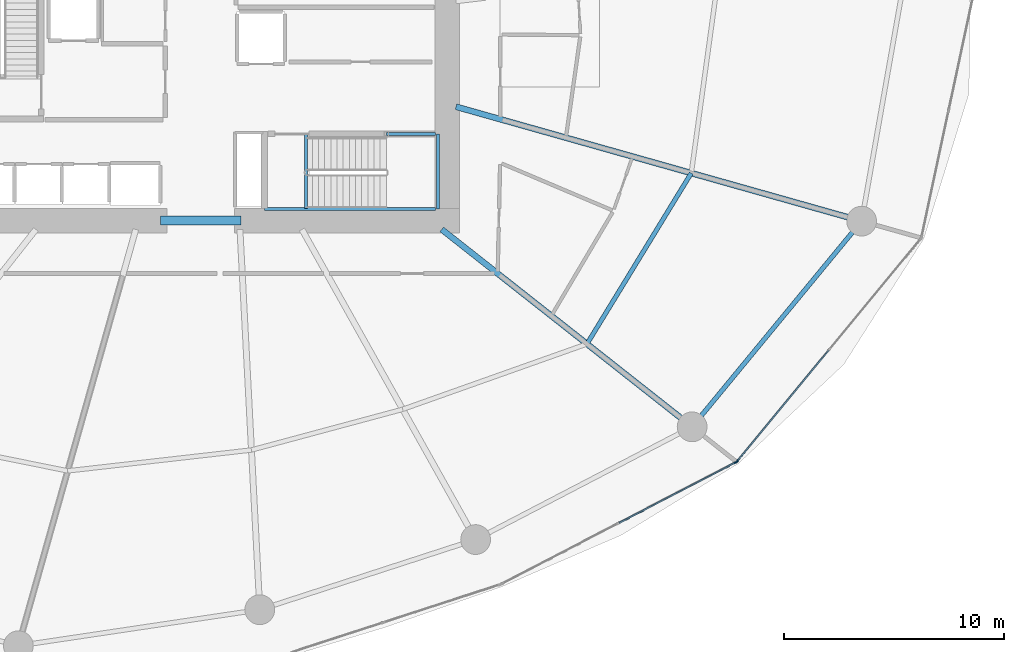
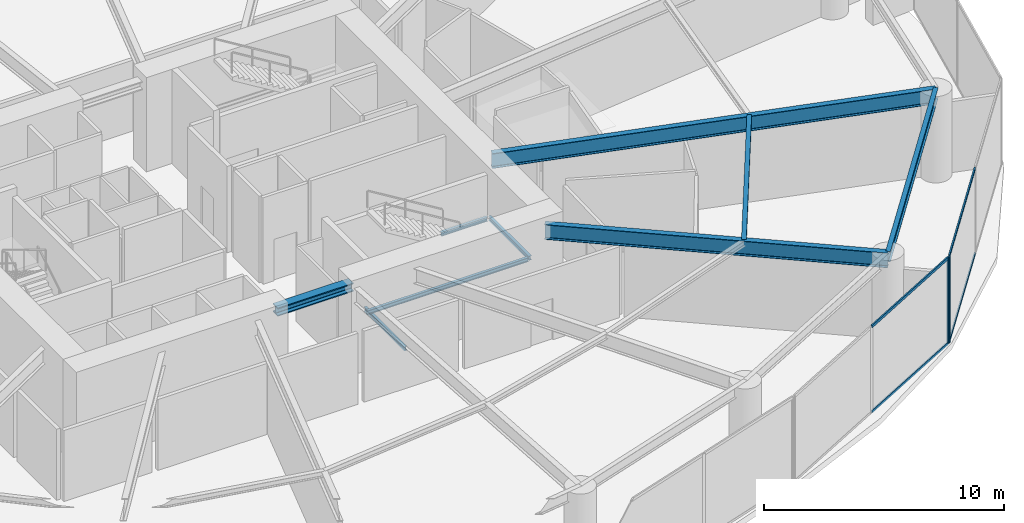
# One storey, part 10 of 22: 9 beams, 6 members, 2 elements without a shape of their own.
"""IFC4 building model written with IfcOpenShell, lengths in metres."""

from ifc_helpers import new_model, si_unit, direction, frame, origin, origin_2d, place, context, subcontext, project, spatial, rectangle, i_section, extrude, material, layer, layer_set, material_profile, profile_set, type_object, element, aggregate, save


model = new_model("IFC4")

# Units and contexts
model_context = context("Model", 3, precision=1e-05, world=origin(), true_north=direction((0.0, 1.0)))
body_context = subcontext(model_context, "Body", "Model", "MODEL_VIEW")
ifc_project = project(units=[si_unit("LENGTHUNIT", "METRE"), si_unit("AREAUNIT", "SQUARE_METRE"), si_unit("VOLUMEUNIT", "CUBIC_METRE"), si_unit("PLANEANGLEUNIT", "RADIAN"), si_unit("MASSUNIT", "GRAM", prefix="KILO")], contexts=[model_context])

# Site, building, storey
site_placement = place(None, origin())
site = spatial("IfcSite", under=ifc_project, at=site_placement, CompositionType="ELEMENT")
building_placement = place(site_placement, origin())
building = spatial("IfcBuilding", under=site, at=building_placement, Name="Kazma Halo Residences", CompositionType="ELEMENT")
storey_placement = place(building_placement, frame((0.0, 0.0, 16.800048828125)))
storey = spatial("IfcBuildingStorey", under=building, at=storey_placement, Name="L03", CompositionType="ELEMENT", Elevation=16.800048828125)

# Beams
ifc_material_1 = material(Name="Steel S355", Category="steel")
ifc_material_profile_1 = material_profile(ifc_material_1, i_section(OverallWidth=0.408935546875, OverallDepth=0.425048828125, WebThickness=0.03271484375, FlangeThickness=0.052490234375, FilletRadius=0.02001953125, at=origin_2d()), Name="W360x421")
ifc_profile_set_1 = profile_set([ifc_material_profile_1], Name="Steel S355")
beam_type_1 = type_object("IfcBeamType", Name="BM-CORE-W360H", PredefinedType="BEAM", material=ifc_profile_set_1)
beam_1_placement = place(storey_placement, frame((46.60009765625, 33.449951171875, 4.1875), z_axis=(1.0, 0.0, 0.0), x_axis=(0.0, 1.0, 0.0)))
element("IfcBeam", 1, at=beam_1_placement, inside=storey, type_object=beam_type_1, Name="L03 core coupling beam S", PredefinedType="BEAM", context=body_context, shape_type="SweptSolid", body=[
    extrude(i_section(OverallWidth=0.408935546875, OverallDepth=0.425048828125, WebThickness=0.03271484375, FlangeThickness=0.052490234375, FilletRadius=0.02001953125, at=origin_2d()), origin(), (0.0, 0.0, 1.0), 3.64990234375),
])
ifc_material_profile_2 = material_profile(ifc_material_1, i_section(OverallWidth=0.26708984375, OverallDepth=0.761962890625, WebThickness=0.014404296875, FlangeThickness=0.021484375, FilletRadius=0.02001953125, at=origin_2d()), Name="W760x173")
ifc_profile_set_2 = profile_set([ifc_material_profile_2], Name="Steel S355")
beam_type_2 = type_object("IfcBeamType", Name="BM-POD-W760", PredefinedType="BEAM", material=ifc_profile_set_2)
beam_2_placement = place(storey_placement, frame((59.35302734375, 33.050048828125, 4.01904296875), z_axis=(0.785314311706, -0.619097271702, 0.0), x_axis=(0.619097271702, 0.785314311706, 0.0)))
element("IfcBeam", 2, at=beam_2_placement, inside=storey, type_object=beam_type_2, Name="L03 radial floor beam 14", PredefinedType="BEAM", context=body_context, shape_type="SweptSolid", body=[
    extrude(i_section(OverallWidth=0.26708984375, OverallDepth=0.761962890625, WebThickness=0.014404296875, FlangeThickness=0.021484375, FilletRadius=0.02001953125, at=origin_2d()), origin(), (0.0, 0.0, 1.0), 14.46044921875),
])
beam_3_placement = place(storey_placement, frame((60.0, 38.615478515625, 4.01904296875), z_axis=(0.962458146095, -0.271430132845, 0.0), x_axis=(0.271430132845, 0.962458146095, 0.0)))
element("IfcBeam", 3, at=beam_3_placement, inside=storey, type_object=beam_type_2, Name="L03 radial floor beam 15", PredefinedType="BEAM", context=body_context, shape_type="SweptSolid", body=[
    extrude(i_section(OverallWidth=0.26708984375, OverallDepth=0.761962890625, WebThickness=0.014404296875, FlangeThickness=0.021484375, FilletRadius=0.02001953125, at=origin_2d()), origin(), (0.0, 0.0, 1.0), 19.115234375),
])
ifc_material_profile_3 = material_profile(ifc_material_1, i_section(OverallWidth=0.202880859375, OverallDepth=0.302978515625, WebThickness=0.007568359375, FlangeThickness=0.01318359375, FilletRadius=0.013916015625, at=origin_2d()), Name="W310x60")
ifc_profile_set_3 = profile_set([ifc_material_profile_3], Name="Steel S355")
beam_type_3 = type_object("IfcBeamType", Name="BM-SEC-W310A", PredefinedType="JOIST", material=ifc_profile_set_3)
beam_4_placement = place(storey_placement, frame((65.939453125, 27.857666015625, 4.24853515625), z_axis=(0.521128000965, 0.853478533187, 0.0), x_axis=(-0.853478533187, 0.521128000965, 0.0)))
element("IfcBeam", 4, at=beam_4_placement, inside=storey, type_object=beam_type_3, Name="L03 circumferential floor joist 14", PredefinedType="JOIST", context=body_context, shape_type="SweptSolid", body=[
    extrude(i_section(OverallWidth=0.202880859375, OverallDepth=0.302978515625, WebThickness=0.007568359375, FlangeThickness=0.01318359375, FilletRadius=0.013916015625, at=origin_2d()), origin(), (0.0, 0.0, 1.0), 9.078857421875),
])
ifc_material_profile_4 = material_profile(ifc_material_1, i_section(OverallWidth=0.208984375, OverallDepth=0.532958984375, WebThickness=0.01025390625, FlangeThickness=0.015625, FilletRadius=0.01611328125, at=origin_2d()), Name="W530x92")
ifc_profile_set_4 = profile_set([ifc_material_profile_4], Name="Steel S355")
beam_type_4 = type_object("IfcBeamType", Name="BM-SPN-W530", PredefinedType="BEAM", material=ifc_profile_set_4)
beam_5_placement = place(storey_placement, frame((70.708984375, 24.09765625, 4.133544921875), z_axis=(0.635989643733, 0.771697591718, 0.0), x_axis=(-0.771697591718, 0.635989643733, 0.0)))
element("IfcBeam", 5, at=beam_5_placement, inside=storey, type_object=beam_type_4, Name="L03 perimeter ring beam 14", PredefinedType="BEAM", context=body_context, shape_type="SweptSolid", body=[
    extrude(i_section(OverallWidth=0.208984375, OverallDepth=0.532958984375, WebThickness=0.01025390625, FlangeThickness=0.015625, FilletRadius=0.01611328125, at=origin_2d()), origin(), (0.0, 0.0, 1.0), 12.08935546875),
])
ifc_material_profile_5 = material_profile(ifc_material_1, i_section(OverallWidth=0.133056640625, OverallDepth=0.20703125, WebThickness=0.005859375, FlangeThickness=0.00830078125, FilletRadius=0.010009765625, at=origin_2d()), Name="W200x26.6")
ifc_profile_set_5 = profile_set([ifc_material_profile_5], Name="Steel S355")
beam_type_5 = type_object("IfcBeamType", Name="BM-TRIM-W200", PredefinedType="BEAM", material=ifc_profile_set_5)
beam_6_placement = place(storey_placement, frame((53.199951171875, 34.0, -0.429931640625), z_axis=(0.0, 1.0, 0.0), x_axis=(-1.0, 0.0, 0.0)))
element("IfcBeam", 6, at=beam_6_placement, inside=storey, type_object=beam_type_5, Name="L03 ST-03 floor landing support beam", PredefinedType="BEAM", context=body_context, shape_type="SweptSolid", body=[
    extrude(i_section(OverallWidth=0.133056640625, OverallDepth=0.20703125, WebThickness=0.005859375, FlangeThickness=0.00830078125, FilletRadius=0.010009765625, at=origin_2d()), origin(), (0.0, 0.0, 1.0), 3.3798828125),
])
beam_7_placement = place(storey_placement, frame((51.31005859375, 33.97998046875, 2.094970703125), z_axis=(1.0, 0.0, 0.0), x_axis=(0.0, 1.0, 0.0)))
element("IfcBeam", 7, at=beam_7_placement, inside=storey, type_object=beam_type_5, Name="L03 ST-03 landing south wall ledger", PredefinedType="BEAM", context=body_context, shape_type="SweptSolid", body=[
    extrude(i_section(OverallWidth=0.133056640625, OverallDepth=0.20703125, WebThickness=0.005859375, FlangeThickness=0.00830078125, FilletRadius=0.010009765625, at=origin_2d()), origin(), (0.0, 0.0, 1.0), 7.760009765625),
])
beam_8_placement = place(storey_placement, frame((56.840087890625, 37.3798828125, 2.094970703125), z_axis=(1.0, 0.0, 0.0), x_axis=(0.0, 1.0, 0.0)))
element("IfcBeam", 8, at=beam_8_placement, inside=storey, type_object=beam_type_5, Name="L03 ST-03 landing north wall ledger", PredefinedType="BEAM", context=body_context, shape_type="SweptSolid", body=[
    extrude(i_section(OverallWidth=0.133056640625, OverallDepth=0.20703125, WebThickness=0.005859375, FlangeThickness=0.00830078125, FilletRadius=0.010009765625, at=origin_2d()), origin(), (0.0, 0.0, 1.0), 2.22998046875),
])
beam_9_placement = place(storey_placement, frame((59.18994140625, 33.97998046875, 2.094970703125), z_axis=(0.0, 1.0, 0.0), x_axis=(-1.0, 0.0, 0.0)))
element("IfcBeam", 9, at=beam_9_placement, inside=storey, type_object=beam_type_5, Name="L03 ST-03 landing end wall ledger", PredefinedType="BEAM", context=body_context, shape_type="SweptSolid", body=[
    extrude(i_section(OverallWidth=0.133056640625, OverallDepth=0.20703125, WebThickness=0.005859375, FlangeThickness=0.00830078125, FilletRadius=0.010009765625, at=origin_2d()), origin(), (0.0, 0.0, 1.0), 3.39990234375),
])

# Curtain wall, member
ifc_material_2 = material(Name="Aluminium AW-6063 T6 and Triple-Silver Low-E Glass", Category="aluminium")
ifc_layer = layer(ifc_material_2, 0.179931640625)
ifc_layer_set = layer_set([ifc_layer], Name="Aluminium AW-6063 T6 and Triple-Silver Low-E Glass")
curtain_wall_type = type_object("IfcCurtainWallType", Name="CW-SYS-1", PredefinedType="NOTDEFINED", material=ifc_layer_set)
curtain_wall_1_placement = place(storey_placement, origin())
curtain_wall_1 = element("IfcCurtainWall", 10, at=curtain_wall_1_placement, inside=storey, type_object=curtain_wall_type, Name="L03 unitised curtain wall B13", PredefinedType="NOTDEFINED")
ifc_material_3 = material(Name="Aluminium AW-6063 T6", Category="aluminium")
ifc_material_profile_6 = material_profile(ifc_material_3, rectangle(XDim=0.06494140625, YDim=0.179931640625, at=origin_2d()), Name="CWM-65x180")
ifc_profile_set_6 = profile_set([ifc_material_profile_6], Name="Aluminium AW-6063 T6")
member_type_1 = type_object("IfcMemberType", Name="CW-SYS-1-MUL", PredefinedType="MULLION", material=ifc_profile_set_6)
member_1_placement = place(storey_placement, frame((72.6953125, 22.493896484375, 0.0), z_axis=(0.0, 0.0, 1.0), x_axis=(-0.46108680311, 0.887355036047, 0.0)))
member_1 = element("IfcMember", 11, at=member_1_placement, type_object=member_type_1, Name="CWS-1 mullion 3", PredefinedType="MULLION", context=body_context, shape_type="SweptSolid", body=[
    extrude(rectangle(XDim=0.06494140625, YDim=0.179931640625, at=origin_2d()), origin(), (0.0, 0.0, 1.0), 4.39990234375),
])

curtain_wall_2_placement = place(storey_placement, origin())
curtain_wall_2 = element("IfcCurtainWall", 12, at=curtain_wall_2_placement, inside=storey, type_object=curtain_wall_type, Name="L03 unitised curtain wall B14", PredefinedType="NOTDEFINED")
member_2_placement = place(storey_placement, frame((72.744873046875, 22.5341796875, 0.0), z_axis=(0.0, 0.0, 1.0), x_axis=(-0.771191775002, 0.636602895194, 0.0)))
member_2 = element("IfcMember", 13, at=member_2_placement, type_object=member_type_1, Name="CWS-1 mullion 1", PredefinedType="MULLION", context=body_context, shape_type="SweptSolid", body=[
    extrude(rectangle(XDim=0.06494140625, YDim=0.179931640625, at=origin_2d()), origin(), (0.0, 0.0, 1.0), 4.39990234375),
])

# Member
ifc_material_profile_7 = material_profile(ifc_material_3, rectangle(XDim=0.06494140625, YDim=0.135009765625, at=origin_2d()), Name="CWT-65x135")
ifc_profile_set_7 = profile_set([ifc_material_profile_7], Name="Aluminium AW-6063 T6")
member_type_2 = type_object("IfcMemberType", Name="CW-SYS-1-TRN", PredefinedType="USERDEFINED", material=ifc_profile_set_7)
member_3_placement = place(storey_placement, frame((67.405029296875, 19.7451171875, 0.032470703125), z_axis=(0.887360351848, 0.461076572781, 0.0), x_axis=(-0.461076572781, 0.887360351848, 0.0)))
member_3 = element("IfcMember", 14, at=member_3_placement, type_object=member_type_2, Name="CWS-1 transom 2.1", ObjectType="TRANSOM", PredefinedType="USERDEFINED", context=body_context, shape_type="SweptSolid", body=[
    extrude(rectangle(XDim=0.06494140625, YDim=0.135009765625, at=origin_2d()), origin(), (0.0, 0.0, 1.0), 5.929443359375),
])

member_4_placement = place(storey_placement, frame((67.405029296875, 19.7451171875, 4.367431640625), z_axis=(0.887360351848, 0.461076572781, 0.0), x_axis=(-0.461076572781, 0.887360351848, 0.0)))
member_4 = element("IfcMember", 15, at=member_4_placement, type_object=member_type_2, Name="CWS-1 transom 2.2", ObjectType="TRANSOM", PredefinedType="USERDEFINED", context=body_context, shape_type="SweptSolid", body=[
    extrude(rectangle(XDim=0.06494140625, YDim=0.135009765625, at=origin_2d()), origin(), (0.0, 0.0, 1.0), 5.929443359375),
])

aggregate(curtain_wall_1, [member_1, member_3, member_4])

member_5_placement = place(storey_placement, frame((72.765625, 22.55908203125, 0.032470703125), z_axis=(0.636593466061, 0.771199558459, 0.0), x_axis=(-0.771199558459, 0.636593466061, 0.0)))
member_5 = element("IfcMember", 16, at=member_5_placement, type_object=member_type_2, Name="CWS-1 transom 1.1", ObjectType="TRANSOM", PredefinedType="USERDEFINED", context=body_context, shape_type="SweptSolid", body=[
    extrude(rectangle(XDim=0.06494140625, YDim=0.135009765625, at=origin_2d()), origin(), (0.0, 0.0, 1.0), 6.48583984375),
])

member_6_placement = place(storey_placement, frame((72.765625, 22.55908203125, 4.367431640625), z_axis=(0.636593466061, 0.771199558459, 0.0), x_axis=(-0.771199558459, 0.636593466061, 0.0)))
member_6 = element("IfcMember", 17, at=member_6_placement, type_object=member_type_2, Name="CWS-1 transom 1.2", ObjectType="TRANSOM", PredefinedType="USERDEFINED", context=body_context, shape_type="SweptSolid", body=[
    extrude(rectangle(XDim=0.06494140625, YDim=0.135009765625, at=origin_2d()), origin(), (0.0, 0.0, 1.0), 6.48583984375),
])

aggregate(curtain_wall_2, [member_2, member_5, member_6])

save(model, "model.ifc")
